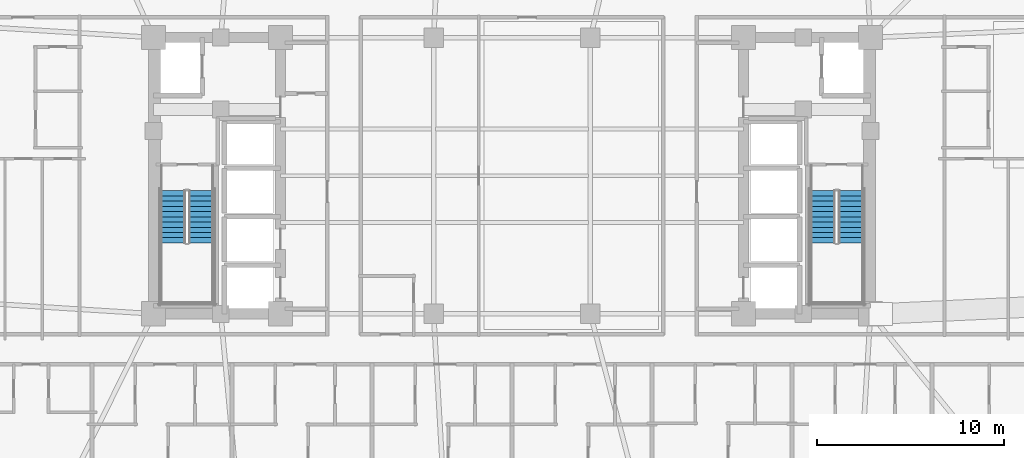
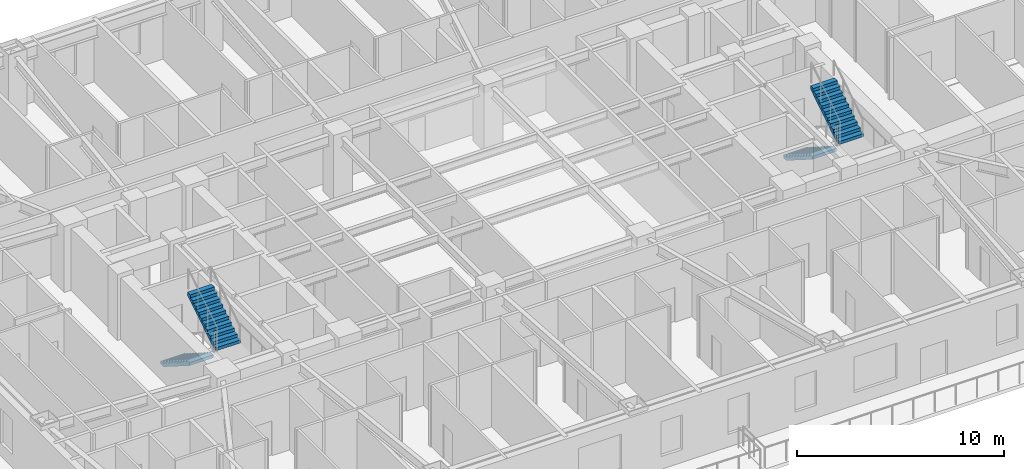
# One storey, part 11 of 16: 4 stair flights, 2 elements without a shape of their own.
"""IFC4 building model written with IfcOpenShell, lengths in metres."""

import ifcopenshell
import ifcopenshell.guid

model = None  # the IFC model being written
_history = None  # IfcOwnerHistory: only IFC2X3 demands one
_inside = {}  # id of a spatial element -> (the spatial element, [elements in it])
_under = {}  # id of a project, library or spatial element -> (it, [spatial elements below it])
_declared = {}  # id of a project -> (the project, [libraries it declares])
_typed = {}  # id of a type object -> (the type object, [elements of that type])
_made_of = {}  # id of a material, layer set ... -> (it, [elements and type objects made of it])


def new_model(schema):
    """Start an empty IFC model of exactly this schema.

    Asked for "IFC4X3", IfcOpenShell would pick the latest addendum, in which some entities
    have other attributes; the version numbers below select the first issue.
    IFC2X3 requires an IfcOwnerHistory on every rooted entity: one is made here for all.
    """
    global model, _history
    if schema == "IFC4X3":
        model = ifcopenshell.file(schema_version=(4, 3, 0, 0))
    else:
        model = ifcopenshell.file(schema=schema)
    _inside.clear()
    _under.clear()
    _declared.clear()
    _typed.clear()
    _made_of.clear()
    _history = None
    if model.schema == "IFC2X3":
        org = make("IfcOrganization", Name="unknown")
        user = make(
            "IfcPersonAndOrganization",
            ThePerson=make("IfcPerson", FamilyName="unknown"),
            TheOrganization=org,
        )
        app = make(
            "IfcApplication",
            ApplicationDeveloper=org,
            Version="unknown",
            ApplicationFullName="unknown",
            ApplicationIdentifier="unknown",
        )
        _history = make(
            "IfcOwnerHistory",
            OwningUser=user,
            OwningApplication=app,
            ChangeAction="ADDED",
            CreationDate=0,
        )
    return model


def make(cls, **values):
    """One entity of the class cls with the attributes given. An attribute that is None is left unset."""
    return model.create_entity(
        cls, **{name: value for name, value in values.items() if value is not None}
    )


def rooted(cls, **values):
    """An entity with a GlobalId (a new one), such as an element, a storey or a relation."""
    return make(cls, GlobalId=ifcopenshell.guid.new(), OwnerHistory=_history, **values)


def si_unit(unit_type, name, prefix=None):
    """IfcSIUnit, for example si_unit("LENGTHUNIT", "METRE", prefix="MILLI")."""
    return make("IfcSIUnit", UnitType=unit_type, Prefix=prefix, Name=name)


def assignment(units):
    """IfcUnitAssignment: the units of a project."""
    return None if units is None else make("IfcUnitAssignment", Units=units)


def point(xyz):
    """IfcCartesianPoint."""
    return None if xyz is None else make("IfcCartesianPoint", Coordinates=xyz)


def direction(xyz):
    """IfcDirection."""
    return None if xyz is None else make("IfcDirection", DirectionRatios=xyz)


def frame(location, z_axis=None, x_axis=None):
    """IfcAxis2Placement3D, a coordinate frame: its origin and axes. An axis left out is left unset."""
    return make(
        "IfcAxis2Placement3D",
        Location=point(location),
        Axis=direction(z_axis),
        RefDirection=direction(x_axis),
    )


def origin():
    """The frame at (0, 0, 0) with its axes left unset."""
    return frame((0.0, 0.0, 0.0))


def place(relative_to, where):
    """IfcLocalPlacement: puts the frame where relative to a parent placement (None: the world)."""
    return make(
        "IfcLocalPlacement", PlacementRelTo=relative_to, RelativePlacement=where
    )


def context(
    kind, dimensions, precision=None, world=None, true_north=None, identifier=None
):
    """IfcGeometricRepresentationContext, for example the 3D "Model" context."""
    return make(
        "IfcGeometricRepresentationContext",
        ContextIdentifier=identifier,
        ContextType=kind,
        CoordinateSpaceDimension=dimensions,
        Precision=precision,
        WorldCoordinateSystem=world,
        TrueNorth=true_north,
    )


def subcontext(parent, identifier, kind, view, scale=None):
    """IfcGeometricRepresentationSubContext, for example "Body" below "Model"."""
    return make(
        "IfcGeometricRepresentationSubContext",
        ContextIdentifier=identifier,
        ContextType=kind,
        ParentContext=parent,
        TargetScale=scale,
        TargetView=view,
    )


def project(units=None, contexts=None):
    """IfcProject with its units and contexts."""
    return rooted(
        "IfcProject",
        Name="project",
        RepresentationContexts=contexts,
        UnitsInContext=assignment(units),
    )


def spatial(cls, under=None, at=None, **own):
    """A site, building, storey or space (cls), placed at a placement, below another one or the project."""
    s = rooted(cls, ObjectPlacement=at, **own)
    if under is not None:
        _under.setdefault(under.id(), (under, []))[1].append(s)
    return s


def polyline(points):
    """IfcPolyline through the points."""
    return make("IfcPolyline", Points=[point(p) for p in points])


def outline(outer, holes=None, kind="AREA"):
    """IfcArbitraryClosedProfileDef: a profile drawn as a closed curve; with holes, ...WithVoids."""
    if holes is None:
        return make("IfcArbitraryClosedProfileDef", ProfileType=kind, OuterCurve=outer)
    return make(
        "IfcArbitraryProfileDefWithVoids",
        ProfileType=kind,
        OuterCurve=outer,
        InnerCurves=holes,
    )


def extrude(swept, where, along, depth):
    """IfcExtrudedAreaSolid: the profile swept, set in the frame where, extruded along a direction by depth."""
    return make(
        "IfcExtrudedAreaSolid",
        SweptArea=swept,
        Position=where,
        ExtrudedDirection=direction(along),
        Depth=depth,
    )


def shape(context_of_items, identifier, shape_type, items):
    """IfcShapeRepresentation: the items that make up one representation, for example the "Body"."""
    return make(
        "IfcShapeRepresentation",
        ContextOfItems=context_of_items,
        RepresentationIdentifier=identifier,
        RepresentationType=shape_type,
        Items=items,
    )


def material(Name=None, Category=None):
    """IfcMaterial."""
    return make("IfcMaterial", Name=Name, Category=Category)


def made_of(thing, what):
    """Note that an element or type object is made of a material, layer set ...; save() writes the relation."""
    if what is not None:
        _made_of.setdefault(what.id(), (what, []))[1].append(thing)
    return thing


def type_object(cls, material=None, **own):
    """A type object (cls), such as IfcWallType, which elements share."""
    return made_of(rooted(cls, **own), material)


def element(
    cls,
    number,
    at=None,
    inside=None,
    cuts=None,
    type_object=None,
    material=None,
    context=None,
    identifier="Body",
    shape_type=None,
    held_by="IfcProductDefinitionShape",
    body=None,
    shapes=None,
    **own,
):
    """One element of the class cls, such as IfcWall. Its Tag is "e" and its number.

    at: its placement. inside: the storey or other place that contains it. cuts: it is an
    opening in that element (IfcRelVoidsElement). A single representation is given by context,
    identifier, shape_type and body (its items); several are given by shapes. held_by: the class
    of the entity that holds the representations. save() writes the other relations.
    """
    e = rooted(cls, Tag="e%d" % number, ObjectPlacement=at, **own)
    if body is not None:
        shapes = [shape(context, identifier, shape_type, body)]
    if shapes is not None:
        e.Representation = make(held_by, Representations=shapes)
    if inside is not None:
        _inside.setdefault(inside.id(), (inside, []))[1].append(e)
    if cuts is not None:
        rooted(
            "IfcRelVoidsElement", RelatingBuildingElement=cuts, RelatedOpeningElement=e
        )
    if type_object is not None:
        _typed.setdefault(type_object.id(), (type_object, []))[1].append(e)
    return made_of(e, material)


def aggregate(whole, parts):
    """IfcRelAggregates: a whole, such as a stair, and the parts it consists of."""
    return rooted("IfcRelAggregates", RelatingObject=whole, RelatedObjects=parts)


def save(model, path):
    """Write the relations noted so far, then the file.

    IfcRelAggregates (storeys below a building ...), IfcRelContainedInSpatialStructure (elements
    in a storey), IfcRelDefinesByType, IfcRelAssociatesMaterial and IfcRelDeclares: one each for
    every whole, place, type object, material and project.
    """
    for whole, parts in _under.values():
        aggregate(whole, parts)
    for where, things in _inside.values():
        rooted(
            "IfcRelContainedInSpatialStructure",
            RelatedElements=things,
            RelatingStructure=where,
        )
    for kind, things in _typed.values():
        rooted("IfcRelDefinesByType", RelatedObjects=things, RelatingType=kind)
    for what, things in _made_of.values():
        rooted("IfcRelAssociatesMaterial", RelatedObjects=things, RelatingMaterial=what)
    for by, libraries in _declared.values():
        rooted("IfcRelDeclares", RelatingContext=by, RelatedDefinitions=libraries)
    model.write(path)


model = new_model("IFC4")

# Units and contexts
model_context = context("Model", 3, precision=1e-05, world=origin(), true_north=direction((0.0, 1.0)))
body_context = subcontext(model_context, "Body", "Model", "MODEL_VIEW")
ifc_project = project(units=[si_unit("LENGTHUNIT", "METRE"), si_unit("AREAUNIT", "SQUARE_METRE"), si_unit("VOLUMEUNIT", "CUBIC_METRE"), si_unit("PLANEANGLEUNIT", "RADIAN"), si_unit("MASSUNIT", "GRAM", prefix="KILO")], contexts=[model_context])

# Site, building, storey
site_placement = place(None, origin())
site = spatial("IfcSite", under=ifc_project, at=site_placement, CompositionType="ELEMENT")
building_placement = place(site_placement, origin())
building = spatial("IfcBuilding", under=site, at=building_placement, Name="Voryun Gate Residences", CompositionType="ELEMENT")
storey_placement = place(building_placement, frame((0.0, 0.0, 113.10009765625)))
storey = spatial("IfcBuildingStorey", under=building, at=storey_placement, Name="L27", CompositionType="ELEMENT", Elevation=113.10009765625)

# Stair, stair flights
ifc_material_1 = material(Name="Concrete C40/50", Category="concrete")
stair_type = type_object("IfcStairType", Name="STR_CORE_DOGLEG_1350", PredefinedType="HALF_TURN_STAIR", material=ifc_material_1)
stair_1_placement = place(storey_placement, origin())
stair_1 = element("IfcStair", 1, at=stair_1_placement, inside=storey, type_object=stair_type, Name="L27 Special Escape Stair ST-W1", PredefinedType="HALF_TURN_STAIR")
ifc_material_2 = material(Name="Concrete C40/50", Category="concrete")
stair_flight_type = type_object("IfcStairFlightType", Name="FLT_CORE_1350", PredefinedType="STRAIGHT", material=ifc_material_2)
stair_flight_1_placement = place(storey_placement, frame((-18.14990234375, -0.800048828125, 0.0), z_axis=(0.0, 0.0, 1.0), x_axis=(0.0, -1.0, 0.0)))
stair_flight_1 = element("IfcStairFlight", 2, at=stair_flight_1_placement, type_object=stair_flight_type, Name="ST-W1 flight 1", NumberOfRisers=11, NumberOfTreads=10, PredefinedType="STRAIGHT", RiserHeight=0.177272727, TreadLength=0.28, context=body_context, shape_type="SweptSolid", body=[
    extrude(outline(polyline([(0.0, 0.0), (0.0, 0.17724609375), (0.280029296875, 0.17724609375), (0.280029296875, 0.3544921875), (0.56005859375, 0.3544921875), (0.56005859375, 0.53173828125), (0.840087890625, 0.53173828125), (0.840087890625, 0.708984375), (1.1201171875, 0.708984375), (1.1201171875, 0.886474609375), (1.39990234375, 0.886474609375), (1.39990234375, 1.063720703125), (1.679931640625, 1.063720703125), (1.679931640625, 1.240966796875), (1.9599609375, 1.240966796875), (1.9599609375, 1.418212890625), (2.239990234375, 1.418212890625), (2.239990234375, 1.595458984375), (2.52001953125, 1.595458984375), (2.52001953125, 1.772705078125), (2.800048828125, 1.772705078125), (2.800048828125, 1.949951171875), (2.800048828125, 1.59521484375), (0.2802734375, 0.0), (0.0, 0.0)])), frame((0.0, 0.675048828125, 0.0), z_axis=(0.0, -1.0, 0.0), x_axis=(1.0, 0.0, 0.0)), (0.0, 0.0, 1.0), 1.35009765625),
])
stair_flight_2_placement = place(storey_placement, frame((-16.64990234375, -3.60009765625, 1.949951171875), z_axis=(0.0, 0.0, 1.0), x_axis=(0.0, 1.0, 0.0)))
stair_flight_2 = element("IfcStairFlight", 3, at=stair_flight_2_placement, type_object=stair_flight_type, Name="ST-W1 flight 2", NumberOfRisers=11, NumberOfTreads=10, PredefinedType="STRAIGHT", RiserHeight=0.177272727, TreadLength=0.28, context=body_context, shape_type="SweptSolid", body=[
    extrude(outline(polyline([(0.0, 0.0), (0.0, 0.17724609375), (0.280029296875, 0.17724609375), (0.280029296875, 0.3544921875), (0.56005859375, 0.3544921875), (0.56005859375, 0.53173828125), (0.840087890625, 0.53173828125), (0.840087890625, 0.708984375), (1.1201171875, 0.708984375), (1.1201171875, 0.886474609375), (1.39990234375, 0.886474609375), (1.39990234375, 1.063720703125), (1.679931640625, 1.063720703125), (1.679931640625, 1.240966796875), (1.9599609375, 1.240966796875), (1.9599609375, 1.418212890625), (2.239990234375, 1.418212890625), (2.239990234375, 1.595458984375), (2.52001953125, 1.595458984375), (2.52001953125, 1.772705078125), (2.800048828125, 1.772705078125), (2.800048828125, 1.949951171875), (2.800048828125, 1.59521484375), (0.2802734375, 0.0), (0.0, 0.0)])), frame((0.0, 0.675048828125, 0.0), z_axis=(0.0, -1.0, 0.0), x_axis=(1.0, 0.0, 0.0)), (0.0, 0.0, 1.0), 1.35009765625),
])
aggregate(stair_1, [stair_flight_1, stair_flight_2])

stair_2_placement = place(storey_placement, origin())
stair_2 = element("IfcStair", 4, at=stair_2_placement, inside=storey, type_object=stair_type, Name="L27 Special Escape Stair ST-E1", PredefinedType="HALF_TURN_STAIR")
stair_flight_3_placement = place(storey_placement, frame((16.64990234375, -0.800048828125, 0.0), z_axis=(0.0, 0.0, 1.0), x_axis=(0.0, -1.0, 0.0)))
stair_flight_3 = element("IfcStairFlight", 5, at=stair_flight_3_placement, type_object=stair_flight_type, Name="ST-E1 flight 1", NumberOfRisers=11, NumberOfTreads=10, PredefinedType="STRAIGHT", RiserHeight=0.177272727, TreadLength=0.28, context=body_context, shape_type="SweptSolid", body=[
    extrude(outline(polyline([(0.0, 0.0), (0.0, 0.17724609375), (0.280029296875, 0.17724609375), (0.280029296875, 0.3544921875), (0.56005859375, 0.3544921875), (0.56005859375, 0.53173828125), (0.840087890625, 0.53173828125), (0.840087890625, 0.708984375), (1.1201171875, 0.708984375), (1.1201171875, 0.886474609375), (1.39990234375, 0.886474609375), (1.39990234375, 1.063720703125), (1.679931640625, 1.063720703125), (1.679931640625, 1.240966796875), (1.9599609375, 1.240966796875), (1.9599609375, 1.418212890625), (2.239990234375, 1.418212890625), (2.239990234375, 1.595458984375), (2.52001953125, 1.595458984375), (2.52001953125, 1.772705078125), (2.800048828125, 1.772705078125), (2.800048828125, 1.949951171875), (2.800048828125, 1.59521484375), (0.2802734375, 0.0), (0.0, 0.0)])), frame((0.0, 0.675048828125, 0.0), z_axis=(0.0, -1.0, 0.0), x_axis=(1.0, 0.0, 0.0)), (0.0, 0.0, 1.0), 1.35009765625),
])
stair_flight_4_placement = place(storey_placement, frame((18.14990234375, -3.60009765625, 1.949951171875), z_axis=(0.0, 0.0, 1.0), x_axis=(0.0, 1.0, 0.0)))
stair_flight_4 = element("IfcStairFlight", 6, at=stair_flight_4_placement, type_object=stair_flight_type, Name="ST-E1 flight 2", NumberOfRisers=11, NumberOfTreads=10, PredefinedType="STRAIGHT", RiserHeight=0.177272727, TreadLength=0.28, context=body_context, shape_type="SweptSolid", body=[
    extrude(outline(polyline([(0.0, 0.0), (0.0, 0.17724609375), (0.280029296875, 0.17724609375), (0.280029296875, 0.3544921875), (0.56005859375, 0.3544921875), (0.56005859375, 0.53173828125), (0.840087890625, 0.53173828125), (0.840087890625, 0.708984375), (1.1201171875, 0.708984375), (1.1201171875, 0.886474609375), (1.39990234375, 0.886474609375), (1.39990234375, 1.063720703125), (1.679931640625, 1.063720703125), (1.679931640625, 1.240966796875), (1.9599609375, 1.240966796875), (1.9599609375, 1.418212890625), (2.239990234375, 1.418212890625), (2.239990234375, 1.595458984375), (2.52001953125, 1.595458984375), (2.52001953125, 1.772705078125), (2.800048828125, 1.772705078125), (2.800048828125, 1.949951171875), (2.800048828125, 1.59521484375), (0.2802734375, 0.0), (0.0, 0.0)])), frame((0.0, 0.675048828125, 0.0), z_axis=(0.0, -1.0, 0.0), x_axis=(1.0, 0.0, 0.0)), (0.0, 0.0, 1.0), 1.35009765625),
])
aggregate(stair_2, [stair_flight_3, stair_flight_4])

save(model, "model.ifc")
